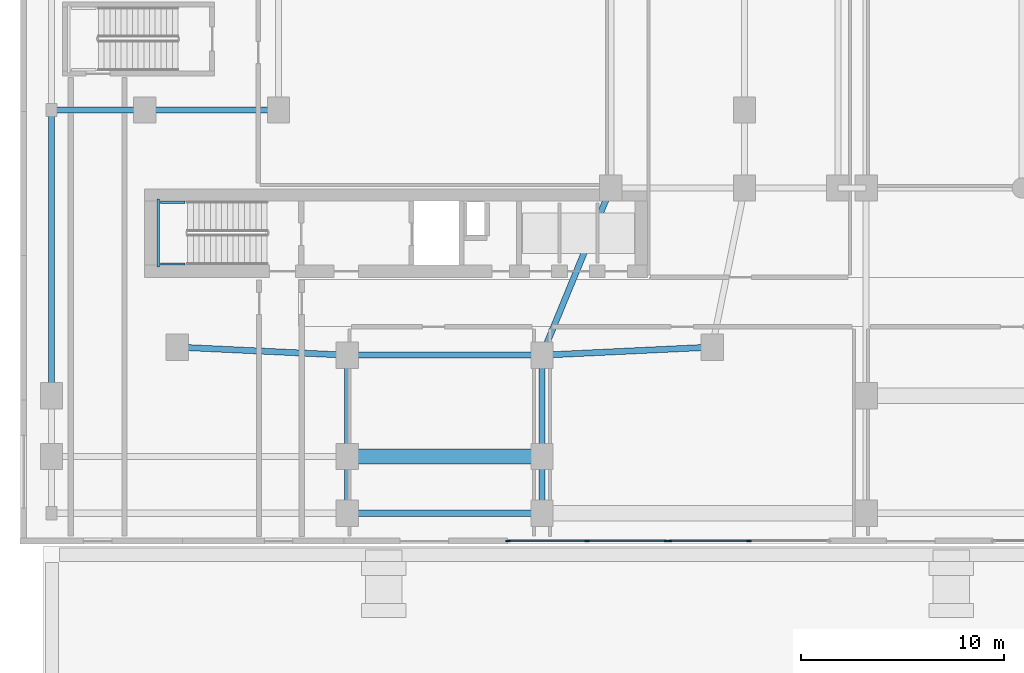
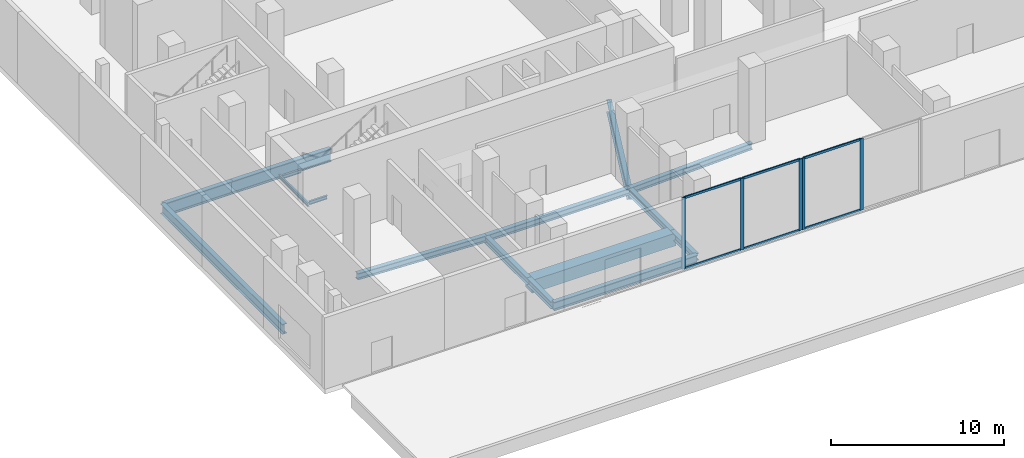
# One storey, part 2 of 24: 16 beams, 11 members, 2 elements without a shape of their own.
"""IFC4 building model written with IfcOpenShell, lengths in metres."""

from ifc_helpers import new_model, si_unit, derived_unit, direction, frame, origin, origin_2d, place, context, subcontext, project, spatial, rectangle, i_section, extrude, material, layer, layer_set, material_profile, profile_set, type_object, element, aggregate, save


model = new_model("IFC4")

# Units and contexts
model_context = context("Model", 3, precision=1e-05, world=origin(), true_north=direction((0.0, 1.0)))
body_context = subcontext(model_context, "Body", "Model", "MODEL_VIEW")
ifc_project = project(units=[si_unit("LENGTHUNIT", "METRE"), si_unit("AREAUNIT", "SQUARE_METRE"), si_unit("VOLUMEUNIT", "CUBIC_METRE"), si_unit("PLANEANGLEUNIT", "RADIAN"), si_unit("MASSUNIT", "GRAM", prefix="KILO"), derived_unit("THERMALTRANSMITTANCEUNIT", [(si_unit("POWERUNIT", "WATT"), 1), (si_unit("LENGTHUNIT", "METRE"), -2), (si_unit("THERMODYNAMICTEMPERATUREUNIT", "KELVIN"), -1)])], contexts=[model_context])

# Site, building, storey
site_placement = place(None, origin())
site = spatial("IfcSite", under=ifc_project, at=site_placement, CompositionType="ELEMENT")
building_placement = place(site_placement, origin())
building = spatial("IfcBuilding", under=site, at=building_placement, Name="Kivonza Crest Hotel", CompositionType="ELEMENT")
storey_placement = place(building_placement, origin())
storey = spatial("IfcBuildingStorey", under=building, at=storey_placement, Name="L00", CompositionType="ELEMENT", Elevation=0.0)

# Beams
ifc_material_1 = material(Name="Steel S355", Category="steel")
ifc_material_profile_1 = material_profile(ifc_material_1, i_section(OverallWidth=0.300048828125, OverallDepth=0.449951171875, WebThickness=0.013916015625, FlangeThickness=0.02587890625, FilletRadius=0.027099609375, at=origin_2d()), Name="HEB 450")
ifc_profile_set_1 = profile_set([ifc_material_profile_1], Name="Steel S355")
beam_type_1 = type_object("IfcBeamType", Name="BM-HEB450", PredefinedType="SPANDREL", material=ifc_profile_set_1)
beam_1_placement = place(storey_placement, frame((16.199951171875, 9.39990234375, -0.574951171875), z_axis=(1.0, 0.0, 0.0), x_axis=(0.0, 1.0, 0.0)))
element("IfcBeam", 1, at=beam_1_placement, inside=storey, type_object=beam_type_1, Name="Tower T1 L00 perimeter spandrel S1-S2", PredefinedType="SPANDREL", context=body_context, shape_type="SweptSolid", body=[
    extrude(i_section(OverallWidth=0.300048828125, OverallDepth=0.449951171875, WebThickness=0.013916015625, FlangeThickness=0.02587890625, FilletRadius=0.027099609375, at=origin_2d()), origin(), (0.0, 0.0, 1.0), 9.60009765625),
])
for number, where, z_axis, x_axis, name in (
    (2, (25.800048828125, 9.39990234375, -0.574951171875), (0.998867283688, 0.047583080799, 0.0), (-0.047583080799, 0.998867283688, 0.0), "Tower T1 L00 perimeter spandrel S2-SE"),
    (3, (7.800048828125, 9.800048828125, -0.574951171875), (0.998867283688, -0.047583080799, 0.0), (0.047583080799, 0.998867283688, 0.0), "Tower T1 L00 perimeter spandrel SW-S1"),
):
    element("IfcBeam", number, at=place(storey_placement, frame(where, z_axis=z_axis, x_axis=x_axis)), inside=storey, type_object=beam_type_1, Name=name, PredefinedType="SPANDREL", context=body_context, shape_type="SweptSolid", body=[
        extrude(i_section(OverallWidth=0.300048828125, OverallDepth=0.449951171875, WebThickness=0.013916015625, FlangeThickness=0.02587890625, FilletRadius=0.027099609375, at=origin_2d()), origin(), (0.0, 0.0, 1.0), 8.409423828125),
    ])
ifc_material_profile_2 = material_profile(ifc_material_1, i_section(OverallWidth=0.300048828125, OverallDepth=0.5, WebThickness=0.014404296875, FlangeThickness=0.028076171875, FilletRadius=0.027099609375, at=origin_2d()), Name="HEB 500")
ifc_profile_set_2 = profile_set([ifc_material_profile_2], Name="Steel S355")
beam_type_2 = type_object("IfcBeamType", Name="BM-HEB500", PredefinedType="BEAM", material=ifc_profile_set_2)
beam_2_placement = place(storey_placement, frame((16.199951171875, 1.60009765625, -0.60009765625), z_axis=(0.0, 1.0, 0.0), x_axis=(-1.0, 0.0, 0.0)))
element("IfcBeam", 4, at=beam_2_placement, inside=storey, type_object=beam_type_2, Name="L00 podium girder Y 57", PredefinedType="BEAM", context=body_context, shape_type="SweptSolid", body=[
    extrude(i_section(OverallWidth=0.300048828125, OverallDepth=0.5, WebThickness=0.014404296875, FlangeThickness=0.028076171875, FilletRadius=0.027099609375, at=origin_2d()), origin(), (0.0, 0.0, 1.0), 2.7998046875),
])
beam_3_placement = place(storey_placement, frame((16.199951171875, 4.39990234375, -0.60009765625), z_axis=(0.0, 1.0, 0.0), x_axis=(-1.0, 0.0, 0.0)))
element("IfcBeam", 5, at=beam_3_placement, inside=storey, type_object=beam_type_2, Name="L00 podium girder Y 58", PredefinedType="BEAM", context=body_context, shape_type="SweptSolid", body=[
    extrude(i_section(OverallWidth=0.300048828125, OverallDepth=0.5, WebThickness=0.014404296875, FlangeThickness=0.028076171875, FilletRadius=0.027099609375, at=origin_2d()), origin(), (0.0, 0.0, 1.0), 5.0),
])
beam_4_placement = place(storey_placement, frame((25.800048828125, 1.60009765625, -0.60009765625), z_axis=(0.0, 1.0, 0.0), x_axis=(-1.0, 0.0, 0.0)))
element("IfcBeam", 6, at=beam_4_placement, inside=storey, type_object=beam_type_2, Name="L00 podium girder Y 61", PredefinedType="BEAM", context=body_context, shape_type="SweptSolid", body=[
    extrude(i_section(OverallWidth=0.300048828125, OverallDepth=0.5, WebThickness=0.014404296875, FlangeThickness=0.028076171875, FilletRadius=0.027099609375, at=origin_2d()), origin(), (0.0, 0.0, 1.0), 2.7998046875),
])
beam_5_placement = place(storey_placement, frame((25.800048828125, 4.39990234375, -0.60009765625), z_axis=(0.0, 1.0, 0.0), x_axis=(-1.0, 0.0, 0.0)))
element("IfcBeam", 7, at=beam_5_placement, inside=storey, type_object=beam_type_2, Name="L00 podium girder Y 62", PredefinedType="BEAM", context=body_context, shape_type="SweptSolid", body=[
    extrude(i_section(OverallWidth=0.300048828125, OverallDepth=0.5, WebThickness=0.014404296875, FlangeThickness=0.028076171875, FilletRadius=0.027099609375, at=origin_2d()), origin(), (0.0, 0.0, 1.0), 5.0),
])
ifc_material_profile_3 = material_profile(ifc_material_1, i_section(OverallWidth=0.300048828125, OverallDepth=0.60009765625, WebThickness=0.015380859375, FlangeThickness=0.030029296875, FilletRadius=0.027099609375, at=origin_2d()), Name="HEB 600")
ifc_profile_set_3 = profile_set([ifc_material_profile_3], Name="Steel S355")
beam_type_3 = type_object("IfcBeamType", Name="BM-HEB600", PredefinedType="BEAM", material=ifc_profile_set_3)
beam_6_placement = place(storey_placement, frame((16.199951171875, 1.60009765625, -0.64990234375), z_axis=(1.0, 0.0, 0.0), x_axis=(0.0, 1.0, 0.0)))
element("IfcBeam", 8, at=beam_6_placement, inside=storey, type_object=beam_type_3, Name="L00 podium girder X 2", PredefinedType="BEAM", context=body_context, shape_type="SweptSolid", body=[
    extrude(i_section(OverallWidth=0.300048828125, OverallDepth=0.60009765625, WebThickness=0.015380859375, FlangeThickness=0.030029296875, FilletRadius=0.027099609375, at=origin_2d()), origin(), (0.0, 0.0, 1.0), 9.60009765625),
])
ifc_material_profile_4 = material_profile(ifc_material_1, i_section(OverallWidth=0.300048828125, OverallDepth=0.699951171875, WebThickness=0.01708984375, FlangeThickness=0.031982421875, FilletRadius=0.027099609375, at=origin_2d()), Name="HEB 700")
ifc_profile_set_4 = profile_set([ifc_material_profile_4], Name="Steel S355")
beam_type_4 = type_object("IfcBeamType", Name="BM-HEB700", PredefinedType="BEAM", material=ifc_profile_set_4)
beam_7_placement = place(storey_placement, frame((1.60009765625, 7.39990234375, -0.699951171875), z_axis=(0.0, 1.0, 0.0), x_axis=(-1.0, 0.0, 0.0)))
element("IfcBeam", 9, at=beam_7_placement, inside=storey, type_object=beam_type_4, Name="L00 podium girder Y 50", PredefinedType="BEAM", context=body_context, shape_type="SweptSolid", body=[
    extrude(i_section(OverallWidth=0.300048828125, OverallDepth=0.699951171875, WebThickness=0.01708984375, FlangeThickness=0.031982421875, FilletRadius=0.027099609375, at=origin_2d()), origin(), (0.0, 0.0, 1.0), 14.10009765625),
])
ifc_material_profile_5 = material_profile(ifc_material_1, i_section(OverallWidth=0.300048828125, OverallDepth=0.89990234375, WebThickness=0.0185546875, FlangeThickness=0.034912109375, FilletRadius=0.030029296875, at=origin_2d()), Name="HEB 900")
ifc_profile_set_5 = profile_set([ifc_material_profile_5], Name="Steel S355")
beam_type_5 = type_object("IfcBeamType", Name="BM-HEB900", PredefinedType="BEAM", material=ifc_profile_set_5)
beam_8_placement = place(storey_placement, frame((6.199951171875, 21.5, -0.800048828125), z_axis=(1.0, 0.0, 0.0), x_axis=(0.0, 1.0, 0.0)))
element("IfcBeam", 10, at=beam_8_placement, inside=storey, type_object=beam_type_5, Name="Tower T1 L00 primary girder W1-WL1", PredefinedType="BEAM", context=body_context, shape_type="SweptSolid", body=[
    extrude(i_section(OverallWidth=0.300048828125, OverallDepth=0.89990234375, WebThickness=0.0185546875, FlangeThickness=0.034912109375, FilletRadius=0.030029296875, at=origin_2d()), origin(), (0.0, 0.0, 1.0), 6.60009765625),
])
beam_9_placement = place(storey_placement, frame((25.800048828125, 9.39990234375, -0.800048828125), z_axis=(0.381022260404, 0.924565864109, 0.0), x_axis=(-0.924565864109, 0.381022260404, 0.0)))
element("IfcBeam", 11, at=beam_9_placement, inside=storey, type_object=beam_type_5, Name="Tower T1 L00 primary girder S1-TSE", PredefinedType="BEAM", context=body_context, shape_type="SweptSolid", body=[
    extrude(i_section(OverallWidth=0.300048828125, OverallDepth=0.89990234375, WebThickness=0.0185546875, FlangeThickness=0.034912109375, FilletRadius=0.030029296875, at=origin_2d()), origin(), (0.0, 0.0, 1.0), 8.923095703125),
])
beam_10_placement = place(storey_placement, frame((1.60009765625, 21.5, -0.800048828125), z_axis=(1.0, 0.0, 0.0), x_axis=(0.0, 1.0, 0.0)))
element("IfcBeam", 12, at=beam_10_placement, inside=storey, type_object=beam_type_5, Name="Tower T1 L00 outer bay girder ZW1", PredefinedType="BEAM", context=body_context, shape_type="SweptSolid", body=[
    extrude(i_section(OverallWidth=0.300048828125, OverallDepth=0.89990234375, WebThickness=0.0185546875, FlangeThickness=0.034912109375, FilletRadius=0.030029296875, at=origin_2d()), origin(), (0.0, 0.0, 1.0), 4.599853515625),
])
ifc_material_profile_6 = material_profile(ifc_material_1, i_section(OverallWidth=0.1201171875, OverallDepth=0.239990234375, WebThickness=0.006103515625, FlangeThickness=0.009765625, FilletRadius=0.014892578125, at=origin_2d()), Name="IPE 240")
ifc_profile_set_6 = profile_set([ifc_material_profile_6], Name="Steel S355")
beam_type_6 = type_object("IfcBeamType", Name="BM-LLDG-240", PredefinedType="BEAM", material=ifc_profile_set_6)
beam_11_placement = place(storey_placement, frame((6.860107421875, 13.739990234375, 2.3798828125), z_axis=(0.0, 1.0, 0.0), x_axis=(-1.0, 0.0, 0.0)))
element("IfcBeam", 13, at=beam_11_placement, inside=storey, type_object=beam_type_6, Name="Stair ST-T1-S L00 West landing corbel", PredefinedType="BEAM", context=body_context, shape_type="SweptSolid", body=[
    extrude(i_section(OverallWidth=0.1201171875, OverallDepth=0.239990234375, WebThickness=0.006103515625, FlangeThickness=0.009765625, FilletRadius=0.014892578125, at=origin_2d()), origin(), (0.0, 0.0, 1.0), 3.360107421875),
])
for number, where, z_axis, x_axis, name in (
    (14, (6.989990234375, 13.89990234375, 2.3798828125), (1.0, 0.0, 0.0), (0.0, 1.0, 0.0), "Stair ST-T1-S L00 South landing corbel"),
    (15, (6.989990234375, 16.93994140625, 2.3798828125), (1.0, 0.0, 0.0), (0.0, 1.0, 0.0), "Stair ST-T1-S L00 North landing corbel"),
):
    element("IfcBeam", number, at=place(storey_placement, frame(where, z_axis=z_axis, x_axis=x_axis)), inside=storey, type_object=beam_type_6, Name=name, PredefinedType="BEAM", context=body_context, shape_type="SweptSolid", body=[
        extrude(i_section(OverallWidth=0.1201171875, OverallDepth=0.239990234375, WebThickness=0.006103515625, FlangeThickness=0.009765625, FilletRadius=0.014892578125, at=origin_2d()), origin(), (0.0, 0.0, 1.0), 1.2099609375),
    ])
ifc_material_2 = material(Name="Concrete C40/50", Category="concrete")
ifc_material_profile_7 = material_profile(ifc_material_2, rectangle(XDim=0.75, YDim=0.89990234375, at=origin_2d()), Name="RC 900x750")
ifc_profile_set_7 = profile_set([ifc_material_profile_7], Name="Concrete C40/50")
beam_type_7 = type_object("IfcBeamType", Name="BM-RCT-900x750", PredefinedType="T_BEAM", material=ifc_profile_set_7)
beam_12_placement = place(storey_placement, frame((16.199951171875, 4.39990234375, -0.800048828125), z_axis=(1.0, 0.0, 0.0), x_axis=(0.0, 1.0, 0.0)))
element("IfcBeam", 16, at=beam_12_placement, inside=storey, type_object=beam_type_7, Name="L00 reinforced concrete T-beam 9", PredefinedType="T_BEAM", context=body_context, shape_type="SweptSolid", body=[
    extrude(rectangle(XDim=0.75, YDim=0.89990234375, at=origin_2d()), origin(), (0.0, 0.0, 1.0), 9.60009765625),
])

# Curtain wall, members
ifc_material_3 = material(Name="Anodised bronze aluminium and low-E double glazing", Category="aluminium")
ifc_layer = layer(ifc_material_3, 0.219970703125)
ifc_layer_set = layer_set([ifc_layer], Name="Anodised bronze aluminium and low-E double glazing")
curtain_wall_type = type_object("IfcCurtainWallType", Name="CW-SYS-1", PredefinedType="NOTDEFINED", material=ifc_layer_set)
curtain_wall_1_placement = place(storey_placement, origin())
curtain_wall_1 = element("IfcCurtainWall", 17, at=curtain_wall_1_placement, inside=storey, type_object=curtain_wall_type, Name="L00 unitised curtain wall CW-POD-L00-04", PredefinedType="NOTDEFINED")
ifc_material_4 = material(Name="Anodised bronze aluminium", Category="aluminium")
ifc_material_profile_8 = material_profile(ifc_material_4, rectangle(XDim=0.074951171875, YDim=0.219970703125, at=origin_2d()), Name="CW-M 75x220")
ifc_profile_set_8 = profile_set([ifc_material_profile_8], Name="Anodised bronze aluminium")
member_type_1 = type_object("IfcMemberType", Name="CW-MUL-75x220", PredefinedType="MULLION", material=ifc_profile_set_8)
member_1_placement = place(storey_placement, frame((24.117431640625, 0.239990234375, 0.0), z_axis=(0.0, 0.0, 1.0), x_axis=(0.0, 1.0, 0.0)))
member_1 = element("IfcMember", 18, at=member_1_placement, type_object=member_type_1, Name="CW-1 mullion 1", PredefinedType="MULLION", context=body_context, shape_type="SweptSolid", body=[
    extrude(rectangle(XDim=0.074951171875, YDim=0.219970703125, at=origin_2d()), origin(), (0.0, 0.0, 1.0), 5.050048828125),
])
member_2_placement = place(storey_placement, frame((28.033447265625, 0.239990234375, 0.0), z_axis=(0.0, 0.0, 1.0), x_axis=(0.0, 1.0, 0.0)))
member_2 = element("IfcMember", 19, at=member_2_placement, type_object=member_type_1, Name="CW-1 mullion 2", PredefinedType="MULLION", context=body_context, shape_type="SweptSolid", body=[
    extrude(rectangle(XDim=0.074951171875, YDim=0.219970703125, at=origin_2d()), origin(), (0.0, 0.0, 1.0), 5.050048828125),
])
member_3_placement = place(storey_placement, frame((31.949462890625, 0.239990234375, 0.0), z_axis=(0.0, 0.0, 1.0), x_axis=(0.0, 1.0, 0.0)))
member_3 = element("IfcMember", 20, at=member_3_placement, type_object=member_type_1, Name="CW-1 mullion 3", PredefinedType="MULLION", context=body_context, shape_type="SweptSolid", body=[
    extrude(rectangle(XDim=0.074951171875, YDim=0.219970703125, at=origin_2d()), origin(), (0.0, 0.0, 1.0), 5.050048828125),
])

curtain_wall_2_placement = place(storey_placement, origin())
curtain_wall_2 = element("IfcCurtainWall", 21, at=curtain_wall_2_placement, inside=storey, type_object=curtain_wall_type, Name="L00 unitised curtain wall CW-POD-L00-05", PredefinedType="NOTDEFINED")
member_4_placement = place(storey_placement, frame((32.1044921875, 0.239990234375, 0.0), z_axis=(0.0, 0.0, 1.0), x_axis=(0.0, 1.0, 0.0)))
member_4 = element("IfcMember", 22, at=member_4_placement, type_object=member_type_1, Name="CW-1 mullion 1", PredefinedType="MULLION", context=body_context, shape_type="SweptSolid", body=[
    extrude(rectangle(XDim=0.074951171875, YDim=0.219970703125, at=origin_2d()), origin(), (0.0, 0.0, 1.0), 5.050048828125),
])
member_5_placement = place(storey_placement, frame((36.02001953125, 0.239990234375, 0.0), z_axis=(0.0, 0.0, 1.0), x_axis=(0.0, 1.0, 0.0)))
member_5 = element("IfcMember", 23, at=member_5_placement, type_object=member_type_1, Name="CW-1 mullion 2", PredefinedType="MULLION", context=body_context, shape_type="SweptSolid", body=[
    extrude(rectangle(XDim=0.074951171875, YDim=0.219970703125, at=origin_2d()), origin(), (0.0, 0.0, 1.0), 5.050048828125),
])

# Member
ifc_material_profile_9 = material_profile(ifc_material_4, rectangle(XDim=0.074951171875, YDim=0.159912109375, at=origin_2d()), Name="CW-T 75x160")
ifc_profile_set_9 = profile_set([ifc_material_profile_9], Name="Anodised bronze aluminium")
member_type_2 = type_object("IfcMemberType", Name="CW-TRN-75x160", PredefinedType="USERDEFINED", material=ifc_profile_set_9)
member_6_placement = place(storey_placement, frame((24.155029296875, 0.239990234375, 0.03759765625), z_axis=(1.0, 0.0, 0.0), x_axis=(0.0, 1.0, 0.0)))
member_6 = element("IfcMember", 24, at=member_6_placement, type_object=member_type_2, Name="CW-1 transom 1.1", ObjectType="TRANSOM", PredefinedType="USERDEFINED", context=body_context, shape_type="SweptSolid", body=[
    extrude(rectangle(XDim=0.074951171875, YDim=0.159912109375, at=origin_2d()), origin(), (0.0, 0.0, 1.0), 3.841064453125),
])

member_7_placement = place(storey_placement, frame((24.155029296875, 0.239990234375, 5.012451171875), z_axis=(1.0, 0.0, 0.0), x_axis=(0.0, 1.0, 0.0)))
member_7 = element("IfcMember", 25, at=member_7_placement, type_object=member_type_2, Name="CW-1 transom 1.2", ObjectType="TRANSOM", PredefinedType="USERDEFINED", context=body_context, shape_type="SweptSolid", body=[
    extrude(rectangle(XDim=0.074951171875, YDim=0.159912109375, at=origin_2d()), origin(), (0.0, 0.0, 1.0), 3.841064453125),
])

member_8_placement = place(storey_placement, frame((28.071044921875, 0.239990234375, 0.03759765625), z_axis=(1.0, 0.0, 0.0), x_axis=(0.0, 1.0, 0.0)))
member_8 = element("IfcMember", 26, at=member_8_placement, type_object=member_type_2, Name="CW-1 transom 2.1", ObjectType="TRANSOM", PredefinedType="USERDEFINED", context=body_context, shape_type="SweptSolid", body=[
    extrude(rectangle(XDim=0.074951171875, YDim=0.159912109375, at=origin_2d()), origin(), (0.0, 0.0, 1.0), 3.841064453125),
])

member_9_placement = place(storey_placement, frame((28.071044921875, 0.239990234375, 5.012451171875), z_axis=(1.0, 0.0, 0.0), x_axis=(0.0, 1.0, 0.0)))
member_9 = element("IfcMember", 27, at=member_9_placement, type_object=member_type_2, Name="CW-1 transom 2.2", ObjectType="TRANSOM", PredefinedType="USERDEFINED", context=body_context, shape_type="SweptSolid", body=[
    extrude(rectangle(XDim=0.074951171875, YDim=0.159912109375, at=origin_2d()), origin(), (0.0, 0.0, 1.0), 3.841064453125),
])

aggregate(curtain_wall_1, [member_1, member_2, member_3, member_6, member_7, member_8, member_9])

member_10_placement = place(storey_placement, frame((32.14208984375, 0.239990234375, 0.03759765625), z_axis=(1.0, 0.0, 0.0), x_axis=(0.0, 1.0, 0.0)))
member_10 = element("IfcMember", 28, at=member_10_placement, type_object=member_type_2, Name="CW-1 transom 1.1", ObjectType="TRANSOM", PredefinedType="USERDEFINED", context=body_context, shape_type="SweptSolid", body=[
    extrude(rectangle(XDim=0.074951171875, YDim=0.159912109375, at=origin_2d()), origin(), (0.0, 0.0, 1.0), 3.84033203125),
])

member_11_placement = place(storey_placement, frame((32.14208984375, 0.239990234375, 5.012451171875), z_axis=(1.0, 0.0, 0.0), x_axis=(0.0, 1.0, 0.0)))
member_11 = element("IfcMember", 29, at=member_11_placement, type_object=member_type_2, Name="CW-1 transom 1.2", ObjectType="TRANSOM", PredefinedType="USERDEFINED", context=body_context, shape_type="SweptSolid", body=[
    extrude(rectangle(XDim=0.074951171875, YDim=0.159912109375, at=origin_2d()), origin(), (0.0, 0.0, 1.0), 3.84033203125),
])

aggregate(curtain_wall_2, [member_4, member_5, member_10, member_11])

save(model, "model.ifc")
